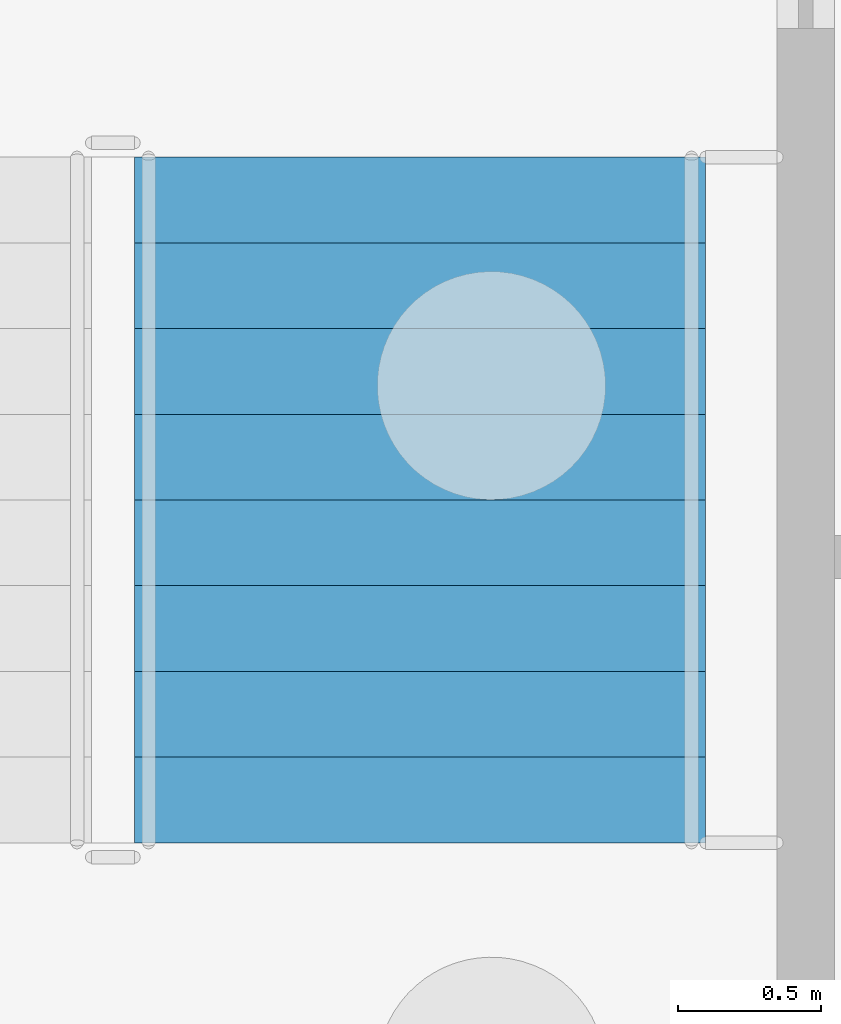
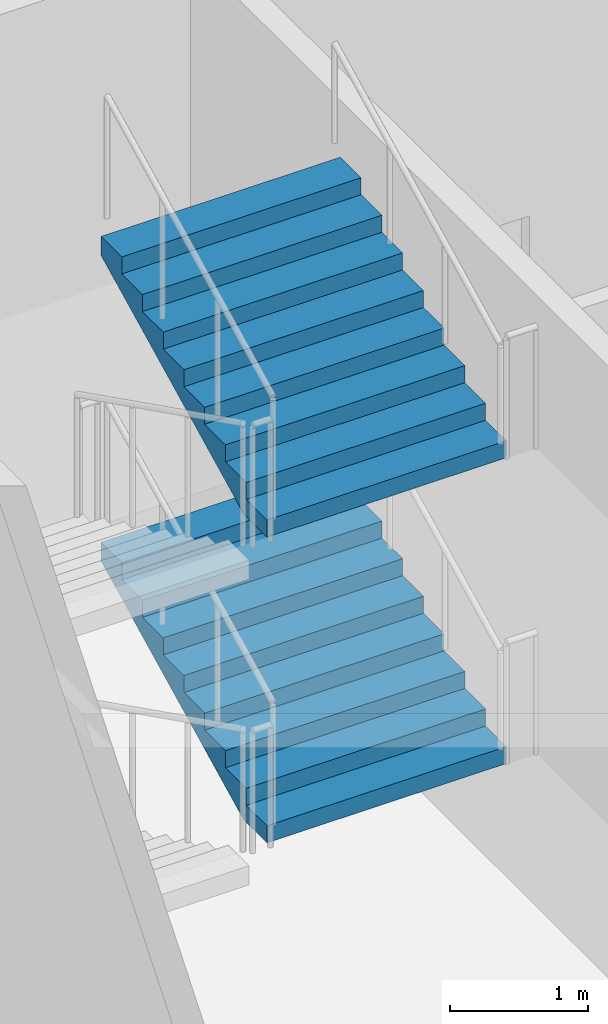
# One storey, part 91 of 129: 2 stair flights, 1 element without a shape of its own.
"""IFC4 building model written with IfcOpenShell, lengths in metres."""

from ifc_helpers import new_model, si_unit, direction, frame, origin, place, context, subcontext, project, spatial, faceted_brep, material, type_object, element, aggregate, save


model = new_model("IFC4")

# Units and contexts
model_context = context("Model", 3, precision=1e-05, world=origin(), true_north=direction((0.0, 1.0)))
body_context = subcontext(model_context, "Body", "Model", "MODEL_VIEW")
ifc_project = project(units=[si_unit("LENGTHUNIT", "METRE"), si_unit("AREAUNIT", "SQUARE_METRE"), si_unit("VOLUMEUNIT", "CUBIC_METRE"), si_unit("PLANEANGLEUNIT", "RADIAN"), si_unit("MASSUNIT", "GRAM", prefix="KILO")], contexts=[model_context])

# Site, building, storey
site_placement = place(None, origin())
site = spatial("IfcSite", under=ifc_project, at=site_placement, CompositionType="ELEMENT")
building_placement = place(site_placement, origin())
building = spatial("IfcBuilding", under=site, at=building_placement, Name="Kiln Court Media Centre", CompositionType="ELEMENT")
storey_placement = place(building_placement, origin())
storey = spatial("IfcBuildingStorey", under=building, at=storey_placement, Name="L00", CompositionType="ELEMENT", Elevation=0.0)

# Stair, stair flights
ifc_material_1 = material(Name="Concrete C40/50", Category="concrete")
stair_type = type_object("IfcStairType", Name="Concrete C40/50 dog-leg stair 2000 wide, 150 riser", PredefinedType="HALF_TURN_STAIR", material=ifc_material_1)
stair_placement = place(storey_placement, origin())
stair = element("IfcStair", 1, at=stair_placement, inside=storey, type_object=stair_type, Name="ST-11 L00", PredefinedType="HALF_TURN_STAIR")
ifc_material_2 = material(Name="Concrete C40/50", Category="concrete")
stair_flight_type = type_object("IfcStairFlightType", Name="Concrete C40/50 stair flight 2000 wide, 150 riser, 300 going", PredefinedType="STRAIGHT", material=ifc_material_2)
stair_flight_1_placement = place(storey_placement, frame((62.14990234375, 62.0, 1.35009765625), z_axis=(0.0, 0.0, 1.0), x_axis=(0.0, 1.0, 0.0)))
stair_flight_1 = element("IfcStairFlight", 2, at=stair_flight_1_placement, type_object=stair_flight_type, Name="L00-ST-5010 flight 5041", NumberOfRisers=9, NumberOfTreads=8, PredefinedType="STRAIGHT", RiserHeight=0.15, TreadLength=0.3, context=body_context, shape_type="Brep", body=[
    faceted_brep([(0.335205078125, -1.0, 0.0), (2.39990234375, -1.0, 1.032470703125), (2.39990234375, -1.0, 1.199951171875), (2.10009765625, -1.0, 1.199951171875), (2.10009765625, -1.0, 1.050048828125), (1.800048828125, -1.0, 1.050048828125), (1.800048828125, -1.0, 0.89990234375), (1.5, -1.0, 0.89990234375), (1.5, -1.0, 0.75), (1.199951171875, -1.0, 0.75), (1.199951171875, -1.0, 0.60009765625), (0.89990234375, -1.0, 0.60009765625), (0.89990234375, -1.0, 0.449951171875), (0.60009765625, -1.0, 0.449951171875), (0.60009765625, -1.0, 0.300048828125), (0.300048828125, -1.0, 0.300048828125), (0.300048828125, -1.0, 0.14990234375), (0.0, -1.0, 0.14990234375), (0.0, -1.0, 0.0), (0.0, 1.0, 0.0), (0.0, 1.0, 0.14990234375), (0.300048828125, 1.0, 0.14990234375), (0.300048828125, 1.0, 0.300048828125), (0.60009765625, 1.0, 0.300048828125), (0.60009765625, 1.0, 0.449951171875), (0.89990234375, 1.0, 0.449951171875), (0.89990234375, 1.0, 0.60009765625), (1.199951171875, 1.0, 0.60009765625), (1.199951171875, 1.0, 0.75), (1.5, 1.0, 0.75), (1.5, 1.0, 0.89990234375), (1.800048828125, 1.0, 0.89990234375), (1.800048828125, 1.0, 1.050048828125), (2.10009765625, 1.0, 1.050048828125), (2.10009765625, 1.0, 1.199951171875), (2.39990234375, 1.0, 1.199951171875), (2.39990234375, 1.0, 1.032470703125), (0.335205078125, 1.0, 0.0), (2.39990234375, 0.10009765625, 1.032470703125), (0.335205078125, 0.10009765625, 0.0), (2.39990234375, 0.080078125, 1.032470703125), (0.335205078125, 0.080078125, 0.0), (2.39990234375, 0.06005859375, 1.032470703125), (0.335205078125, 0.06005859375, 0.0), (2.39990234375, 0.0400390625, 1.032470703125), (0.335205078125, 0.0400390625, 0.0), (2.39990234375, 0.02001953125, 1.032470703125), (0.335205078125, 0.02001953125, 0.0), (2.39990234375, 0.0, 1.032470703125), (0.335205078125, 0.0, 0.0), (2.39990234375, -0.02001953125, 1.032470703125), (0.335205078125, -0.02001953125, 0.0), (2.39990234375, -0.0400390625, 1.032470703125), (0.335205078125, -0.0400390625, 0.0), (2.39990234375, -0.06005859375, 1.032470703125), (0.335205078125, -0.06005859375, 0.0), (2.39990234375, -0.080078125, 1.032470703125), (0.335205078125, -0.080078125, 0.0), (2.39990234375, -0.10009765625, 1.032470703125), (0.335205078125, -0.10009765625, 0.0), (2.39990234375, 0.10009765625, 1.199951171875), (2.39990234375, 0.080078125, 1.199951171875), (2.39990234375, 0.06005859375, 1.199951171875), (2.39990234375, 0.0400390625, 1.199951171875), (2.39990234375, 0.02001953125, 1.199951171875), (2.39990234375, 0.0, 1.199951171875), (2.39990234375, -0.02001953125, 1.199951171875), (2.39990234375, -0.0400390625, 1.199951171875), (2.39990234375, -0.06005859375, 1.199951171875), (2.39990234375, -0.080078125, 1.199951171875), (2.39990234375, -0.10009765625, 1.199951171875), (2.10009765625, 0.10009765625, 1.199951171875), (2.10009765625, 0.080078125, 1.199951171875), (2.10009765625, 0.06005859375, 1.199951171875), (2.10009765625, 0.0400390625, 1.199951171875), (2.10009765625, 0.02001953125, 1.199951171875), (2.10009765625, 0.0, 1.199951171875), (2.10009765625, -0.02001953125, 1.199951171875), (2.10009765625, -0.0400390625, 1.199951171875), (2.10009765625, -0.06005859375, 1.199951171875), (2.10009765625, -0.080078125, 1.199951171875), (2.10009765625, -0.10009765625, 1.199951171875), (2.10009765625, 0.10009765625, 1.050048828125), (2.10009765625, 0.080078125, 1.050048828125), (2.10009765625, 0.06005859375, 1.050048828125), (2.10009765625, 0.0400390625, 1.050048828125), (2.10009765625, 0.02001953125, 1.050048828125), (2.10009765625, 0.0, 1.050048828125), (2.10009765625, -0.02001953125, 1.050048828125), (2.10009765625, -0.0400390625, 1.050048828125), (2.10009765625, -0.06005859375, 1.050048828125), (2.10009765625, -0.080078125, 1.050048828125), (2.10009765625, -0.10009765625, 1.050048828125), (1.800048828125, 0.10009765625, 1.050048828125), (1.800048828125, 0.080078125, 1.050048828125), (1.800048828125, 0.06005859375, 1.050048828125), (1.800048828125, 0.0400390625, 1.050048828125), (1.800048828125, 0.02001953125, 1.050048828125), (1.800048828125, 0.0, 1.050048828125), (1.800048828125, -0.02001953125, 1.050048828125), (1.800048828125, -0.0400390625, 1.050048828125), (1.800048828125, -0.06005859375, 1.050048828125), (1.800048828125, -0.080078125, 1.050048828125), (1.800048828125, -0.10009765625, 1.050048828125), (1.800048828125, 0.10009765625, 0.89990234375), (1.800048828125, 0.080078125, 0.89990234375), (1.800048828125, 0.06005859375, 0.89990234375), (1.800048828125, 0.0400390625, 0.89990234375), (1.800048828125, 0.02001953125, 0.89990234375), (1.800048828125, 0.0, 0.89990234375), (1.800048828125, -0.02001953125, 0.89990234375), (1.800048828125, -0.0400390625, 0.89990234375), (1.800048828125, -0.06005859375, 0.89990234375), (1.800048828125, -0.080078125, 0.89990234375), (1.800048828125, -0.10009765625, 0.89990234375), (1.5, 0.10009765625, 0.89990234375), (1.5, 0.080078125, 0.89990234375), (1.5, 0.06005859375, 0.89990234375), (1.5, 0.0400390625, 0.89990234375), (1.5, 0.02001953125, 0.89990234375), (1.5, 0.0, 0.89990234375), (1.5, -0.02001953125, 0.89990234375), (1.5, -0.0400390625, 0.89990234375), (1.5, -0.06005859375, 0.89990234375), (1.5, -0.080078125, 0.89990234375), (1.5, -0.10009765625, 0.89990234375), (1.5, 0.10009765625, 0.75), (1.5, 0.080078125, 0.75), (1.5, 0.06005859375, 0.75), (1.5, 0.0400390625, 0.75), (1.5, 0.02001953125, 0.75), (1.5, 0.0, 0.75), (1.5, -0.02001953125, 0.75), (1.5, -0.0400390625, 0.75), (1.5, -0.06005859375, 0.75), (1.5, -0.080078125, 0.75), (1.5, -0.10009765625, 0.75), (1.199951171875, 0.10009765625, 0.75), (1.199951171875, 0.080078125, 0.75), (1.199951171875, 0.06005859375, 0.75), (1.199951171875, 0.0400390625, 0.75), (1.199951171875, 0.02001953125, 0.75), (1.199951171875, 0.0, 0.75), (1.199951171875, -0.02001953125, 0.75), (1.199951171875, -0.0400390625, 0.75), (1.199951171875, -0.06005859375, 0.75), (1.199951171875, -0.080078125, 0.75), (1.199951171875, -0.10009765625, 0.75), (1.199951171875, 0.10009765625, 0.60009765625), (1.199951171875, 0.080078125, 0.60009765625), (1.199951171875, 0.06005859375, 0.60009765625), (1.199951171875, 0.0400390625, 0.60009765625), (1.199951171875, 0.02001953125, 0.60009765625), (1.199951171875, 0.0, 0.60009765625), (1.199951171875, -0.02001953125, 0.60009765625), (1.199951171875, -0.0400390625, 0.60009765625), (1.199951171875, -0.06005859375, 0.60009765625), (1.199951171875, -0.080078125, 0.60009765625), (1.199951171875, -0.10009765625, 0.60009765625), (0.89990234375, 0.10009765625, 0.60009765625), (0.89990234375, 0.080078125, 0.60009765625), (0.89990234375, 0.06005859375, 0.60009765625), (0.89990234375, 0.0400390625, 0.60009765625), (0.89990234375, 0.02001953125, 0.60009765625), (0.89990234375, 0.0, 0.60009765625), (0.89990234375, -0.02001953125, 0.60009765625), (0.89990234375, -0.0400390625, 0.60009765625), (0.89990234375, -0.06005859375, 0.60009765625), (0.89990234375, -0.080078125, 0.60009765625), (0.89990234375, -0.10009765625, 0.60009765625), (0.89990234375, 0.10009765625, 0.449951171875), (0.89990234375, 0.080078125, 0.449951171875), (0.89990234375, 0.06005859375, 0.449951171875), (0.89990234375, 0.0400390625, 0.449951171875), (0.89990234375, 0.02001953125, 0.449951171875), (0.89990234375, 0.0, 0.449951171875), (0.89990234375, -0.02001953125, 0.449951171875), (0.89990234375, -0.0400390625, 0.449951171875), (0.89990234375, -0.06005859375, 0.449951171875), (0.89990234375, -0.080078125, 0.449951171875), (0.89990234375, -0.10009765625, 0.449951171875), (0.60009765625, 0.10009765625, 0.449951171875), (0.60009765625, 0.080078125, 0.449951171875), (0.60009765625, 0.06005859375, 0.449951171875), (0.60009765625, 0.0400390625, 0.449951171875), (0.60009765625, 0.02001953125, 0.449951171875), (0.60009765625, 0.0, 0.449951171875), (0.60009765625, -0.02001953125, 0.449951171875), (0.60009765625, -0.0400390625, 0.449951171875), (0.60009765625, -0.06005859375, 0.449951171875), (0.60009765625, -0.080078125, 0.449951171875), (0.60009765625, -0.10009765625, 0.449951171875), (0.60009765625, 0.10009765625, 0.300048828125), (0.60009765625, 0.080078125, 0.300048828125), (0.60009765625, 0.06005859375, 0.300048828125), (0.60009765625, 0.0400390625, 0.300048828125), (0.60009765625, 0.02001953125, 0.300048828125), (0.60009765625, 0.0, 0.300048828125), (0.60009765625, -0.02001953125, 0.300048828125), (0.60009765625, -0.0400390625, 0.300048828125), (0.60009765625, -0.06005859375, 0.300048828125), (0.60009765625, -0.080078125, 0.300048828125), (0.60009765625, -0.10009765625, 0.300048828125), (0.300048828125, 0.10009765625, 0.300048828125), (0.300048828125, 0.080078125, 0.300048828125), (0.300048828125, 0.06005859375, 0.300048828125), (0.300048828125, 0.0400390625, 0.300048828125), (0.300048828125, 0.02001953125, 0.300048828125), (0.300048828125, 0.0, 0.300048828125), (0.300048828125, -0.02001953125, 0.300048828125), (0.300048828125, -0.0400390625, 0.300048828125), (0.300048828125, -0.06005859375, 0.300048828125), (0.300048828125, -0.080078125, 0.300048828125), (0.300048828125, -0.10009765625, 0.300048828125), (0.300048828125, 0.10009765625, 0.14990234375), (0.300048828125, 0.080078125, 0.14990234375), (0.300048828125, 0.06005859375, 0.14990234375), (0.300048828125, 0.0400390625, 0.14990234375), (0.300048828125, 0.02001953125, 0.14990234375), (0.300048828125, 0.0, 0.14990234375), (0.300048828125, -0.02001953125, 0.14990234375), (0.300048828125, -0.0400390625, 0.14990234375), (0.300048828125, -0.06005859375, 0.14990234375), (0.300048828125, -0.080078125, 0.14990234375), (0.300048828125, -0.10009765625, 0.14990234375), (0.0, 0.10009765625, 0.14990234375), (0.0, 0.080078125, 0.14990234375), (0.0, 0.06005859375, 0.14990234375), (0.0, 0.0400390625, 0.14990234375), (0.0, 0.02001953125, 0.14990234375), (0.0, 0.0, 0.14990234375), (0.0, -0.02001953125, 0.14990234375), (0.0, -0.0400390625, 0.14990234375), (0.0, -0.06005859375, 0.14990234375), (0.0, -0.080078125, 0.14990234375), (0.0, -0.10009765625, 0.14990234375), (0.0, 0.10009765625, 0.0), (0.0, 0.080078125, 0.0), (0.0, 0.06005859375, 0.0), (0.0, 0.0400390625, 0.0), (0.0, 0.02001953125, 0.0), (0.0, 0.0, 0.0), (0.0, -0.02001953125, 0.0), (0.0, -0.0400390625, 0.0), (0.0, -0.06005859375, 0.0), (0.0, -0.080078125, 0.0), (0.0, -0.10009765625, 0.0)], [[[0, 1, 2, 3, 4, 5, 6, 7, 8, 9, 10, 11, 12, 13, 14, 15, 16, 17, 18]], [[19, 20, 21, 22, 23, 24, 25, 26, 27, 28, 29, 30, 31, 32, 33, 34, 35, 36, 37]], [[37, 36, 38, 39]], [[39, 38, 40, 41]], [[41, 40, 42, 43]], [[43, 42, 44, 45]], [[45, 44, 46, 47]], [[47, 46, 48, 49]], [[49, 48, 50, 51]], [[51, 50, 52, 53]], [[53, 52, 54, 55]], [[55, 54, 56, 57]], [[57, 56, 58, 59]], [[59, 58, 1, 0]], [[36, 35, 60, 38]], [[38, 60, 61, 40]], [[40, 61, 62, 42]], [[42, 62, 63, 44]], [[44, 63, 64, 46]], [[46, 64, 65, 48]], [[48, 65, 66, 50]], [[50, 66, 67, 52]], [[52, 67, 68, 54]], [[54, 68, 69, 56]], [[56, 69, 70, 58]], [[58, 70, 2, 1]], [[35, 34, 71, 60]], [[60, 71, 72, 61]], [[61, 72, 73, 62]], [[62, 73, 74, 63]], [[63, 74, 75, 64]], [[64, 75, 76, 65]], [[65, 76, 77, 66]], [[66, 77, 78, 67]], [[67, 78, 79, 68]], [[68, 79, 80, 69]], [[69, 80, 81, 70]], [[70, 81, 3, 2]], [[34, 33, 82, 71]], [[71, 82, 83, 72]], [[72, 83, 84, 73]], [[73, 84, 85, 74]], [[74, 85, 86, 75]], [[75, 86, 87, 76]], [[76, 87, 88, 77]], [[77, 88, 89, 78]], [[78, 89, 90, 79]], [[79, 90, 91, 80]], [[80, 91, 92, 81]], [[81, 92, 4, 3]], [[33, 32, 93, 82]], [[82, 93, 94, 83]], [[83, 94, 95, 84]], [[84, 95, 96, 85]], [[85, 96, 97, 86]], [[86, 97, 98, 87]], [[87, 98, 99, 88]], [[88, 99, 100, 89]], [[89, 100, 101, 90]], [[90, 101, 102, 91]], [[91, 102, 103, 92]], [[92, 103, 5, 4]], [[32, 31, 104, 93]], [[93, 104, 105, 94]], [[94, 105, 106, 95]], [[95, 106, 107, 96]], [[96, 107, 108, 97]], [[97, 108, 109, 98]], [[98, 109, 110, 99]], [[99, 110, 111, 100]], [[100, 111, 112, 101]], [[101, 112, 113, 102]], [[102, 113, 114, 103]], [[103, 114, 6, 5]], [[31, 30, 115, 104]], [[104, 115, 116, 105]], [[105, 116, 117, 106]], [[106, 117, 118, 107]], [[107, 118, 119, 108]], [[108, 119, 120, 109]], [[109, 120, 121, 110]], [[110, 121, 122, 111]], [[111, 122, 123, 112]], [[112, 123, 124, 113]], [[113, 124, 125, 114]], [[114, 125, 7, 6]], [[30, 29, 126, 115]], [[115, 126, 127, 116]], [[116, 127, 128, 117]], [[117, 128, 129, 118]], [[118, 129, 130, 119]], [[119, 130, 131, 120]], [[120, 131, 132, 121]], [[121, 132, 133, 122]], [[122, 133, 134, 123]], [[123, 134, 135, 124]], [[124, 135, 136, 125]], [[125, 136, 8, 7]], [[29, 28, 137, 126]], [[126, 137, 138, 127]], [[127, 138, 139, 128]], [[128, 139, 140, 129]], [[129, 140, 141, 130]], [[130, 141, 142, 131]], [[131, 142, 143, 132]], [[132, 143, 144, 133]], [[133, 144, 145, 134]], [[134, 145, 146, 135]], [[135, 146, 147, 136]], [[136, 147, 9, 8]], [[28, 27, 148, 137]], [[137, 148, 149, 138]], [[138, 149, 150, 139]], [[139, 150, 151, 140]], [[140, 151, 152, 141]], [[141, 152, 153, 142]], [[142, 153, 154, 143]], [[143, 154, 155, 144]], [[144, 155, 156, 145]], [[145, 156, 157, 146]], [[146, 157, 158, 147]], [[147, 158, 10, 9]], [[27, 26, 159, 148]], [[148, 159, 160, 149]], [[149, 160, 161, 150]], [[150, 161, 162, 151]], [[151, 162, 163, 152]], [[152, 163, 164, 153]], [[153, 164, 165, 154]], [[154, 165, 166, 155]], [[155, 166, 167, 156]], [[156, 167, 168, 157]], [[157, 168, 169, 158]], [[158, 169, 11, 10]], [[26, 25, 170, 159]], [[159, 170, 171, 160]], [[160, 171, 172, 161]], [[161, 172, 173, 162]], [[162, 173, 174, 163]], [[163, 174, 175, 164]], [[164, 175, 176, 165]], [[165, 176, 177, 166]], [[166, 177, 178, 167]], [[167, 178, 179, 168]], [[168, 179, 180, 169]], [[169, 180, 12, 11]], [[25, 24, 181, 170]], [[170, 181, 182, 171]], [[171, 182, 183, 172]], [[172, 183, 184, 173]], [[173, 184, 185, 174]], [[174, 185, 186, 175]], [[175, 186, 187, 176]], [[176, 187, 188, 177]], [[177, 188, 189, 178]], [[178, 189, 190, 179]], [[179, 190, 191, 180]], [[180, 191, 13, 12]], [[24, 23, 192, 181]], [[181, 192, 193, 182]], [[182, 193, 194, 183]], [[183, 194, 195, 184]], [[184, 195, 196, 185]], [[185, 196, 197, 186]], [[186, 197, 198, 187]], [[187, 198, 199, 188]], [[188, 199, 200, 189]], [[189, 200, 201, 190]], [[190, 201, 202, 191]], [[191, 202, 14, 13]], [[23, 22, 203, 192]], [[192, 203, 204, 193]], [[193, 204, 205, 194]], [[194, 205, 206, 195]], [[195, 206, 207, 196]], [[196, 207, 208, 197]], [[197, 208, 209, 198]], [[198, 209, 210, 199]], [[199, 210, 211, 200]], [[200, 211, 212, 201]], [[201, 212, 213, 202]], [[202, 213, 15, 14]], [[22, 21, 214, 203]], [[203, 214, 215, 204]], [[204, 215, 216, 205]], [[205, 216, 217, 206]], [[206, 217, 218, 207]], [[207, 218, 219, 208]], [[208, 219, 220, 209]], [[209, 220, 221, 210]], [[210, 221, 222, 211]], [[211, 222, 223, 212]], [[212, 223, 224, 213]], [[213, 224, 16, 15]], [[21, 20, 225, 214]], [[214, 225, 226, 215]], [[215, 226, 227, 216]], [[216, 227, 228, 217]], [[217, 228, 229, 218]], [[218, 229, 230, 219]], [[219, 230, 231, 220]], [[220, 231, 232, 221]], [[221, 232, 233, 222]], [[222, 233, 234, 223]], [[223, 234, 235, 224]], [[224, 235, 17, 16]], [[20, 19, 236, 225]], [[225, 236, 237, 226]], [[226, 237, 238, 227]], [[227, 238, 239, 228]], [[228, 239, 240, 229]], [[229, 240, 241, 230]], [[230, 241, 242, 231]], [[231, 242, 243, 232]], [[232, 243, 244, 233]], [[233, 244, 245, 234]], [[234, 245, 246, 235]], [[235, 246, 18, 17]], [[19, 37, 39, 236]], [[236, 39, 41, 237]], [[237, 41, 43, 238]], [[238, 43, 45, 239]], [[239, 45, 47, 240]], [[240, 47, 49, 241]], [[241, 49, 51, 242]], [[242, 51, 53, 243]], [[243, 53, 55, 244]], [[244, 55, 57, 245]], [[245, 57, 59, 246]], [[246, 59, 0, 18]]]),
])
stair_flight_2_placement = place(storey_placement, frame((62.14990234375, 62.0, 4.050048828125), z_axis=(0.0, 0.0, 1.0), x_axis=(0.0, 1.0, 0.0)))
stair_flight_2 = element("IfcStairFlight", 3, at=stair_flight_2_placement, type_object=stair_flight_type, Name="L00-ST-5010 flight 5043", NumberOfRisers=9, NumberOfTreads=8, PredefinedType="STRAIGHT", RiserHeight=0.15, TreadLength=0.3, context=body_context, shape_type="Brep", body=[
    faceted_brep([(0.335205078125, -1.0, 0.0), (2.39990234375, -1.0, 1.032470703125), (2.39990234375, -1.0, 1.199951171875), (2.10009765625, -1.0, 1.199951171875), (2.10009765625, -1.0, 1.050048828125), (1.800048828125, -1.0, 1.050048828125), (1.800048828125, -1.0, 0.89990234375), (1.5, -1.0, 0.89990234375), (1.5, -1.0, 0.75), (1.199951171875, -1.0, 0.75), (1.199951171875, -1.0, 0.60009765625), (0.89990234375, -1.0, 0.60009765625), (0.89990234375, -1.0, 0.449951171875), (0.60009765625, -1.0, 0.449951171875), (0.60009765625, -1.0, 0.300048828125), (0.300048828125, -1.0, 0.300048828125), (0.300048828125, -1.0, 0.14990234375), (0.0, -1.0, 0.14990234375), (0.0, -1.0, 0.0), (0.0, 1.0, 0.0), (0.0, 1.0, 0.14990234375), (0.300048828125, 1.0, 0.14990234375), (0.300048828125, 1.0, 0.300048828125), (0.60009765625, 1.0, 0.300048828125), (0.60009765625, 1.0, 0.449951171875), (0.89990234375, 1.0, 0.449951171875), (0.89990234375, 1.0, 0.60009765625), (1.199951171875, 1.0, 0.60009765625), (1.199951171875, 1.0, 0.75), (1.5, 1.0, 0.75), (1.5, 1.0, 0.89990234375), (1.800048828125, 1.0, 0.89990234375), (1.800048828125, 1.0, 1.050048828125), (2.10009765625, 1.0, 1.050048828125), (2.10009765625, 1.0, 1.199951171875), (2.39990234375, 1.0, 1.199951171875), (2.39990234375, 1.0, 1.032470703125), (0.335205078125, 1.0, 0.0), (2.39990234375, 0.10009765625, 1.032470703125), (0.335205078125, 0.10009765625, 0.0), (2.39990234375, 0.080078125, 1.032470703125), (0.335205078125, 0.080078125, 0.0), (2.39990234375, 0.06005859375, 1.032470703125), (0.335205078125, 0.06005859375, 0.0), (2.39990234375, 0.0400390625, 1.032470703125), (0.335205078125, 0.0400390625, 0.0), (2.39990234375, 0.02001953125, 1.032470703125), (0.335205078125, 0.02001953125, 0.0), (2.39990234375, 0.0, 1.032470703125), (0.335205078125, 0.0, 0.0), (2.39990234375, -0.02001953125, 1.032470703125), (0.335205078125, -0.02001953125, 0.0), (2.39990234375, -0.0400390625, 1.032470703125), (0.335205078125, -0.0400390625, 0.0), (2.39990234375, -0.06005859375, 1.032470703125), (0.335205078125, -0.06005859375, 0.0), (2.39990234375, -0.080078125, 1.032470703125), (0.335205078125, -0.080078125, 0.0), (2.39990234375, -0.10009765625, 1.032470703125), (0.335205078125, -0.10009765625, 0.0), (2.39990234375, 0.10009765625, 1.199951171875), (2.39990234375, 0.080078125, 1.199951171875), (2.39990234375, 0.06005859375, 1.199951171875), (2.39990234375, 0.0400390625, 1.199951171875), (2.39990234375, 0.02001953125, 1.199951171875), (2.39990234375, 0.0, 1.199951171875), (2.39990234375, -0.02001953125, 1.199951171875), (2.39990234375, -0.0400390625, 1.199951171875), (2.39990234375, -0.06005859375, 1.199951171875), (2.39990234375, -0.080078125, 1.199951171875), (2.39990234375, -0.10009765625, 1.199951171875), (2.10009765625, 0.10009765625, 1.199951171875), (2.10009765625, 0.080078125, 1.199951171875), (2.10009765625, 0.06005859375, 1.199951171875), (2.10009765625, 0.0400390625, 1.199951171875), (2.10009765625, 0.02001953125, 1.199951171875), (2.10009765625, 0.0, 1.199951171875), (2.10009765625, -0.02001953125, 1.199951171875), (2.10009765625, -0.0400390625, 1.199951171875), (2.10009765625, -0.06005859375, 1.199951171875), (2.10009765625, -0.080078125, 1.199951171875), (2.10009765625, -0.10009765625, 1.199951171875), (2.10009765625, 0.10009765625, 1.050048828125), (2.10009765625, 0.080078125, 1.050048828125), (2.10009765625, 0.06005859375, 1.050048828125), (2.10009765625, 0.0400390625, 1.050048828125), (2.10009765625, 0.02001953125, 1.050048828125), (2.10009765625, 0.0, 1.050048828125), (2.10009765625, -0.02001953125, 1.050048828125), (2.10009765625, -0.0400390625, 1.050048828125), (2.10009765625, -0.06005859375, 1.050048828125), (2.10009765625, -0.080078125, 1.050048828125), (2.10009765625, -0.10009765625, 1.050048828125), (1.800048828125, 0.10009765625, 1.050048828125), (1.800048828125, 0.080078125, 1.050048828125), (1.800048828125, 0.06005859375, 1.050048828125), (1.800048828125, 0.0400390625, 1.050048828125), (1.800048828125, 0.02001953125, 1.050048828125), (1.800048828125, 0.0, 1.050048828125), (1.800048828125, -0.02001953125, 1.050048828125), (1.800048828125, -0.0400390625, 1.050048828125), (1.800048828125, -0.06005859375, 1.050048828125), (1.800048828125, -0.080078125, 1.050048828125), (1.800048828125, -0.10009765625, 1.050048828125), (1.800048828125, 0.10009765625, 0.89990234375), (1.800048828125, 0.080078125, 0.89990234375), (1.800048828125, 0.06005859375, 0.89990234375), (1.800048828125, 0.0400390625, 0.89990234375), (1.800048828125, 0.02001953125, 0.89990234375), (1.800048828125, 0.0, 0.89990234375), (1.800048828125, -0.02001953125, 0.89990234375), (1.800048828125, -0.0400390625, 0.89990234375), (1.800048828125, -0.06005859375, 0.89990234375), (1.800048828125, -0.080078125, 0.89990234375), (1.800048828125, -0.10009765625, 0.89990234375), (1.5, 0.10009765625, 0.89990234375), (1.5, 0.080078125, 0.89990234375), (1.5, 0.06005859375, 0.89990234375), (1.5, 0.0400390625, 0.89990234375), (1.5, 0.02001953125, 0.89990234375), (1.5, 0.0, 0.89990234375), (1.5, -0.02001953125, 0.89990234375), (1.5, -0.0400390625, 0.89990234375), (1.5, -0.06005859375, 0.89990234375), (1.5, -0.080078125, 0.89990234375), (1.5, -0.10009765625, 0.89990234375), (1.5, 0.10009765625, 0.75), (1.5, 0.080078125, 0.75), (1.5, 0.06005859375, 0.75), (1.5, 0.0400390625, 0.75), (1.5, 0.02001953125, 0.75), (1.5, 0.0, 0.75), (1.5, -0.02001953125, 0.75), (1.5, -0.0400390625, 0.75), (1.5, -0.06005859375, 0.75), (1.5, -0.080078125, 0.75), (1.5, -0.10009765625, 0.75), (1.199951171875, 0.10009765625, 0.75), (1.199951171875, 0.080078125, 0.75), (1.199951171875, 0.06005859375, 0.75), (1.199951171875, 0.0400390625, 0.75), (1.199951171875, 0.02001953125, 0.75), (1.199951171875, 0.0, 0.75), (1.199951171875, -0.02001953125, 0.75), (1.199951171875, -0.0400390625, 0.75), (1.199951171875, -0.06005859375, 0.75), (1.199951171875, -0.080078125, 0.75), (1.199951171875, -0.10009765625, 0.75), (1.199951171875, 0.10009765625, 0.60009765625), (1.199951171875, 0.080078125, 0.60009765625), (1.199951171875, 0.06005859375, 0.60009765625), (1.199951171875, 0.0400390625, 0.60009765625), (1.199951171875, 0.02001953125, 0.60009765625), (1.199951171875, 0.0, 0.60009765625), (1.199951171875, -0.02001953125, 0.60009765625), (1.199951171875, -0.0400390625, 0.60009765625), (1.199951171875, -0.06005859375, 0.60009765625), (1.199951171875, -0.080078125, 0.60009765625), (1.199951171875, -0.10009765625, 0.60009765625), (0.89990234375, 0.10009765625, 0.60009765625), (0.89990234375, 0.080078125, 0.60009765625), (0.89990234375, 0.06005859375, 0.60009765625), (0.89990234375, 0.0400390625, 0.60009765625), (0.89990234375, 0.02001953125, 0.60009765625), (0.89990234375, 0.0, 0.60009765625), (0.89990234375, -0.02001953125, 0.60009765625), (0.89990234375, -0.0400390625, 0.60009765625), (0.89990234375, -0.06005859375, 0.60009765625), (0.89990234375, -0.080078125, 0.60009765625), (0.89990234375, -0.10009765625, 0.60009765625), (0.89990234375, 0.10009765625, 0.449951171875), (0.89990234375, 0.080078125, 0.449951171875), (0.89990234375, 0.06005859375, 0.449951171875), (0.89990234375, 0.0400390625, 0.449951171875), (0.89990234375, 0.02001953125, 0.449951171875), (0.89990234375, 0.0, 0.449951171875), (0.89990234375, -0.02001953125, 0.449951171875), (0.89990234375, -0.0400390625, 0.449951171875), (0.89990234375, -0.06005859375, 0.449951171875), (0.89990234375, -0.080078125, 0.449951171875), (0.89990234375, -0.10009765625, 0.449951171875), (0.60009765625, 0.10009765625, 0.449951171875), (0.60009765625, 0.080078125, 0.449951171875), (0.60009765625, 0.06005859375, 0.449951171875), (0.60009765625, 0.0400390625, 0.449951171875), (0.60009765625, 0.02001953125, 0.449951171875), (0.60009765625, 0.0, 0.449951171875), (0.60009765625, -0.02001953125, 0.449951171875), (0.60009765625, -0.0400390625, 0.449951171875), (0.60009765625, -0.06005859375, 0.449951171875), (0.60009765625, -0.080078125, 0.449951171875), (0.60009765625, -0.10009765625, 0.449951171875), (0.60009765625, 0.10009765625, 0.300048828125), (0.60009765625, 0.080078125, 0.300048828125), (0.60009765625, 0.06005859375, 0.300048828125), (0.60009765625, 0.0400390625, 0.300048828125), (0.60009765625, 0.02001953125, 0.300048828125), (0.60009765625, 0.0, 0.300048828125), (0.60009765625, -0.02001953125, 0.300048828125), (0.60009765625, -0.0400390625, 0.300048828125), (0.60009765625, -0.06005859375, 0.300048828125), (0.60009765625, -0.080078125, 0.300048828125), (0.60009765625, -0.10009765625, 0.300048828125), (0.300048828125, 0.10009765625, 0.300048828125), (0.300048828125, 0.080078125, 0.300048828125), (0.300048828125, 0.06005859375, 0.300048828125), (0.300048828125, 0.0400390625, 0.300048828125), (0.300048828125, 0.02001953125, 0.300048828125), (0.300048828125, 0.0, 0.300048828125), (0.300048828125, -0.02001953125, 0.300048828125), (0.300048828125, -0.0400390625, 0.300048828125), (0.300048828125, -0.06005859375, 0.300048828125), (0.300048828125, -0.080078125, 0.300048828125), (0.300048828125, -0.10009765625, 0.300048828125), (0.300048828125, 0.10009765625, 0.14990234375), (0.300048828125, 0.080078125, 0.14990234375), (0.300048828125, 0.06005859375, 0.14990234375), (0.300048828125, 0.0400390625, 0.14990234375), (0.300048828125, 0.02001953125, 0.14990234375), (0.300048828125, 0.0, 0.14990234375), (0.300048828125, -0.02001953125, 0.14990234375), (0.300048828125, -0.0400390625, 0.14990234375), (0.300048828125, -0.06005859375, 0.14990234375), (0.300048828125, -0.080078125, 0.14990234375), (0.300048828125, -0.10009765625, 0.14990234375), (0.0, 0.10009765625, 0.14990234375), (0.0, 0.080078125, 0.14990234375), (0.0, 0.06005859375, 0.14990234375), (0.0, 0.0400390625, 0.14990234375), (0.0, 0.02001953125, 0.14990234375), (0.0, 0.0, 0.14990234375), (0.0, -0.02001953125, 0.14990234375), (0.0, -0.0400390625, 0.14990234375), (0.0, -0.06005859375, 0.14990234375), (0.0, -0.080078125, 0.14990234375), (0.0, -0.10009765625, 0.14990234375), (0.0, 0.10009765625, 0.0), (0.0, 0.080078125, 0.0), (0.0, 0.06005859375, 0.0), (0.0, 0.0400390625, 0.0), (0.0, 0.02001953125, 0.0), (0.0, 0.0, 0.0), (0.0, -0.02001953125, 0.0), (0.0, -0.0400390625, 0.0), (0.0, -0.06005859375, 0.0), (0.0, -0.080078125, 0.0), (0.0, -0.10009765625, 0.0)], [[[0, 1, 2, 3, 4, 5, 6, 7, 8, 9, 10, 11, 12, 13, 14, 15, 16, 17, 18]], [[19, 20, 21, 22, 23, 24, 25, 26, 27, 28, 29, 30, 31, 32, 33, 34, 35, 36, 37]], [[37, 36, 38, 39]], [[39, 38, 40, 41]], [[41, 40, 42, 43]], [[43, 42, 44, 45]], [[45, 44, 46, 47]], [[47, 46, 48, 49]], [[49, 48, 50, 51]], [[51, 50, 52, 53]], [[53, 52, 54, 55]], [[55, 54, 56, 57]], [[57, 56, 58, 59]], [[59, 58, 1, 0]], [[36, 35, 60, 38]], [[38, 60, 61, 40]], [[40, 61, 62, 42]], [[42, 62, 63, 44]], [[44, 63, 64, 46]], [[46, 64, 65, 48]], [[48, 65, 66, 50]], [[50, 66, 67, 52]], [[52, 67, 68, 54]], [[54, 68, 69, 56]], [[56, 69, 70, 58]], [[58, 70, 2, 1]], [[35, 34, 71, 60]], [[60, 71, 72, 61]], [[61, 72, 73, 62]], [[62, 73, 74, 63]], [[63, 74, 75, 64]], [[64, 75, 76, 65]], [[65, 76, 77, 66]], [[66, 77, 78, 67]], [[67, 78, 79, 68]], [[68, 79, 80, 69]], [[69, 80, 81, 70]], [[70, 81, 3, 2]], [[34, 33, 82, 71]], [[71, 82, 83, 72]], [[72, 83, 84, 73]], [[73, 84, 85, 74]], [[74, 85, 86, 75]], [[75, 86, 87, 76]], [[76, 87, 88, 77]], [[77, 88, 89, 78]], [[78, 89, 90, 79]], [[79, 90, 91, 80]], [[80, 91, 92, 81]], [[81, 92, 4, 3]], [[33, 32, 93, 82]], [[82, 93, 94, 83]], [[83, 94, 95, 84]], [[84, 95, 96, 85]], [[85, 96, 97, 86]], [[86, 97, 98, 87]], [[87, 98, 99, 88]], [[88, 99, 100, 89]], [[89, 100, 101, 90]], [[90, 101, 102, 91]], [[91, 102, 103, 92]], [[92, 103, 5, 4]], [[32, 31, 104, 93]], [[93, 104, 105, 94]], [[94, 105, 106, 95]], [[95, 106, 107, 96]], [[96, 107, 108, 97]], [[97, 108, 109, 98]], [[98, 109, 110, 99]], [[99, 110, 111, 100]], [[100, 111, 112, 101]], [[101, 112, 113, 102]], [[102, 113, 114, 103]], [[103, 114, 6, 5]], [[31, 30, 115, 104]], [[104, 115, 116, 105]], [[105, 116, 117, 106]], [[106, 117, 118, 107]], [[107, 118, 119, 108]], [[108, 119, 120, 109]], [[109, 120, 121, 110]], [[110, 121, 122, 111]], [[111, 122, 123, 112]], [[112, 123, 124, 113]], [[113, 124, 125, 114]], [[114, 125, 7, 6]], [[30, 29, 126, 115]], [[115, 126, 127, 116]], [[116, 127, 128, 117]], [[117, 128, 129, 118]], [[118, 129, 130, 119]], [[119, 130, 131, 120]], [[120, 131, 132, 121]], [[121, 132, 133, 122]], [[122, 133, 134, 123]], [[123, 134, 135, 124]], [[124, 135, 136, 125]], [[125, 136, 8, 7]], [[29, 28, 137, 126]], [[126, 137, 138, 127]], [[127, 138, 139, 128]], [[128, 139, 140, 129]], [[129, 140, 141, 130]], [[130, 141, 142, 131]], [[131, 142, 143, 132]], [[132, 143, 144, 133]], [[133, 144, 145, 134]], [[134, 145, 146, 135]], [[135, 146, 147, 136]], [[136, 147, 9, 8]], [[28, 27, 148, 137]], [[137, 148, 149, 138]], [[138, 149, 150, 139]], [[139, 150, 151, 140]], [[140, 151, 152, 141]], [[141, 152, 153, 142]], [[142, 153, 154, 143]], [[143, 154, 155, 144]], [[144, 155, 156, 145]], [[145, 156, 157, 146]], [[146, 157, 158, 147]], [[147, 158, 10, 9]], [[27, 26, 159, 148]], [[148, 159, 160, 149]], [[149, 160, 161, 150]], [[150, 161, 162, 151]], [[151, 162, 163, 152]], [[152, 163, 164, 153]], [[153, 164, 165, 154]], [[154, 165, 166, 155]], [[155, 166, 167, 156]], [[156, 167, 168, 157]], [[157, 168, 169, 158]], [[158, 169, 11, 10]], [[26, 25, 170, 159]], [[159, 170, 171, 160]], [[160, 171, 172, 161]], [[161, 172, 173, 162]], [[162, 173, 174, 163]], [[163, 174, 175, 164]], [[164, 175, 176, 165]], [[165, 176, 177, 166]], [[166, 177, 178, 167]], [[167, 178, 179, 168]], [[168, 179, 180, 169]], [[169, 180, 12, 11]], [[25, 24, 181, 170]], [[170, 181, 182, 171]], [[171, 182, 183, 172]], [[172, 183, 184, 173]], [[173, 184, 185, 174]], [[174, 185, 186, 175]], [[175, 186, 187, 176]], [[176, 187, 188, 177]], [[177, 188, 189, 178]], [[178, 189, 190, 179]], [[179, 190, 191, 180]], [[180, 191, 13, 12]], [[24, 23, 192, 181]], [[181, 192, 193, 182]], [[182, 193, 194, 183]], [[183, 194, 195, 184]], [[184, 195, 196, 185]], [[185, 196, 197, 186]], [[186, 197, 198, 187]], [[187, 198, 199, 188]], [[188, 199, 200, 189]], [[189, 200, 201, 190]], [[190, 201, 202, 191]], [[191, 202, 14, 13]], [[23, 22, 203, 192]], [[192, 203, 204, 193]], [[193, 204, 205, 194]], [[194, 205, 206, 195]], [[195, 206, 207, 196]], [[196, 207, 208, 197]], [[197, 208, 209, 198]], [[198, 209, 210, 199]], [[199, 210, 211, 200]], [[200, 211, 212, 201]], [[201, 212, 213, 202]], [[202, 213, 15, 14]], [[22, 21, 214, 203]], [[203, 214, 215, 204]], [[204, 215, 216, 205]], [[205, 216, 217, 206]], [[206, 217, 218, 207]], [[207, 218, 219, 208]], [[208, 219, 220, 209]], [[209, 220, 221, 210]], [[210, 221, 222, 211]], [[211, 222, 223, 212]], [[212, 223, 224, 213]], [[213, 224, 16, 15]], [[21, 20, 225, 214]], [[214, 225, 226, 215]], [[215, 226, 227, 216]], [[216, 227, 228, 217]], [[217, 228, 229, 218]], [[218, 229, 230, 219]], [[219, 230, 231, 220]], [[220, 231, 232, 221]], [[221, 232, 233, 222]], [[222, 233, 234, 223]], [[223, 234, 235, 224]], [[224, 235, 17, 16]], [[20, 19, 236, 225]], [[225, 236, 237, 226]], [[226, 237, 238, 227]], [[227, 238, 239, 228]], [[228, 239, 240, 229]], [[229, 240, 241, 230]], [[230, 241, 242, 231]], [[231, 242, 243, 232]], [[232, 243, 244, 233]], [[233, 244, 245, 234]], [[234, 245, 246, 235]], [[235, 246, 18, 17]], [[19, 37, 39, 236]], [[236, 39, 41, 237]], [[237, 41, 43, 238]], [[238, 43, 45, 239]], [[239, 45, 47, 240]], [[240, 47, 49, 241]], [[241, 49, 51, 242]], [[242, 51, 53, 243]], [[243, 53, 55, 244]], [[244, 55, 57, 245]], [[245, 57, 59, 246]], [[246, 59, 0, 18]]]),
])
aggregate(stair, [stair_flight_1, stair_flight_2])

save(model, "model.ifc")
